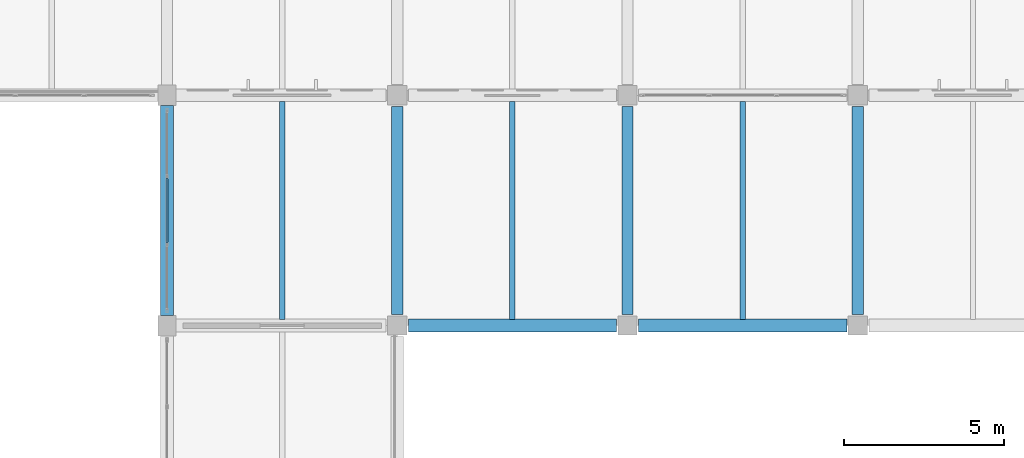
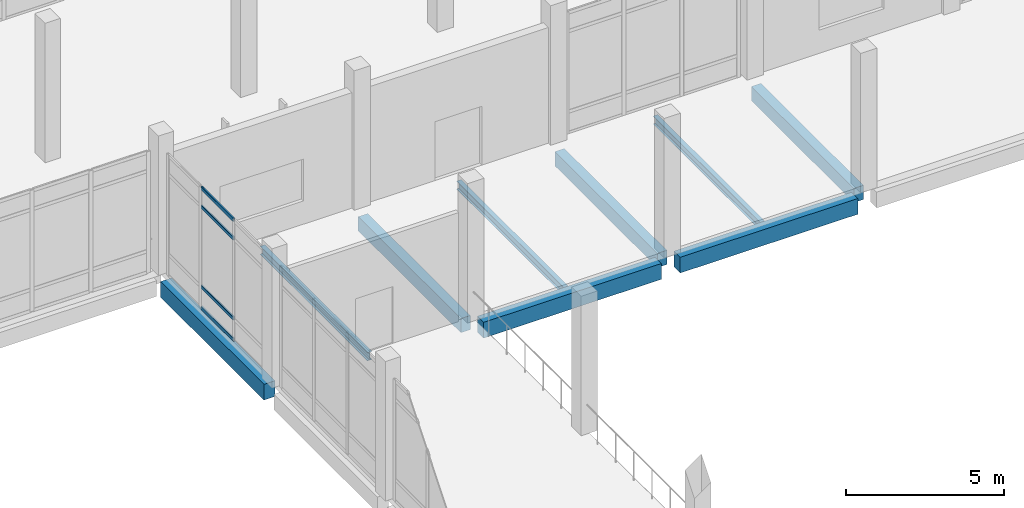
# One storey, part 116 of 180: 9 beams, 4 members, 1 element without a shape of its own.
"""IFC4 building model written with IfcOpenShell, lengths in metres."""

from ifc_helpers import new_model, si_unit, direction, frame, origin, origin_2d, place, context, subcontext, project, spatial, rectangle, hollow_rectangle, i_section, extrude, material, material_profile, profile_set, type_object, element, aggregate, save


model = new_model("IFC4")

# Units and contexts
model_context = context("Model", 3, precision=1e-05, world=origin(), true_north=direction((0.0, 1.0)))
body_context = subcontext(model_context, "Body", "Model", "MODEL_VIEW")
ifc_project = project(units=[si_unit("LENGTHUNIT", "METRE"), si_unit("AREAUNIT", "SQUARE_METRE"), si_unit("VOLUMEUNIT", "CUBIC_METRE"), si_unit("PLANEANGLEUNIT", "RADIAN"), si_unit("MASSUNIT", "GRAM", prefix="KILO")], contexts=[model_context])

# Site, building, storey
site_placement = place(None, origin())
site = spatial("IfcSite", under=ifc_project, at=site_placement, CompositionType="ELEMENT")
building_placement = place(site_placement, origin())
building = spatial("IfcBuilding", under=site, at=building_placement, Name="Lusvemor Sports Hall", CompositionType="ELEMENT")
storey_placement = place(building_placement, frame((0.0, 0.0, 5.39990234375)))
storey = spatial("IfcBuildingStorey", under=building, at=storey_placement, Name="L01", CompositionType="ELEMENT", Elevation=5.39990234375)

# Beams
ifc_material_1 = material(Name="Concrete C40/50", Category="concrete")
ifc_material_profile_1 = material_profile(ifc_material_1, rectangle(XDim=0.35009765625, YDim=0.550048828125, at=origin_2d()), Name="RC350x550")
ifc_profile_set_1 = profile_set([ifc_material_profile_1], Name="Concrete C40/50")
beam_type_1 = type_object("IfcBeamType", Name="BEAM_RC_550", PredefinedType="BEAM", material=ifc_profile_set_1)
for number, where, z_axis, x_axis, name in (
    (1, (140.39990234375, 75.946044921875, -0.534912109375), (0.0, 1.0, 0.0), (-1.0, 0.0, 0.0), "Beam L01 16:K-L"),
    (2, (147.60009765625, 75.946044921875, -0.534912109375), (0.0, 1.0, 0.0), (-1.0, 0.0, 0.0), "Beam L01 17:K-L"),
    (3, (154.800048828125, 75.946044921875, -0.534912109375), (0.0, 1.0, 0.0), (-1.0, 0.0, 0.0), "Beam L01 18:K-L"),
):
    element("IfcBeam", number, at=place(storey_placement, frame(where, z_axis=z_axis, x_axis=x_axis)), inside=storey, type_object=beam_type_1, Name=name, PredefinedType="BEAM", context=body_context, shape_type="SweptSolid", body=[
        extrude(rectangle(XDim=0.35009765625, YDim=0.550048828125, at=origin_2d()), origin(), (0.0, 0.0, 1.0), 6.508056640625),
    ])

# Curtain wall, members
ifc_material_2 = material(Name="Thermally broken bronze-anodized aluminium", Category="aluminium")
curtain_wall_type = type_object("IfcCurtainWallType", Name="CW_PASSAGE_E", PredefinedType="NOTDEFINED", material=ifc_material_2)
curtain_wall_placement = place(storey_placement, origin())
curtain_wall = element("IfcCurtainWall", 4, at=curtain_wall_placement, inside=storey, type_object=curtain_wall_type, Name="Curtain Wall CW-NLINK-133-L01", PredefinedType="NOTDEFINED")
ifc_material_3 = material(Name="Thermally broken bronze-anodized aluminium", Category="aluminium")
ifc_material_profile_2 = material_profile(ifc_material_3, hollow_rectangle(XDim=0.06005859375, YDim=0.135009765625, WallThickness=0.00390625, InnerFilletRadius=0.00390625, OuterFilletRadius=0.008056640625, at=origin_2d()), Name="CWTRN135x60x4")
ifc_profile_set_2 = profile_set([ifc_material_profile_2], Name="Thermally broken bronze-anodized aluminium")
member_type = type_object("IfcMemberType", Name="CW_TRN_B", PredefinedType="USERDEFINED", material=ifc_profile_set_2)
member_1_placement = place(storey_placement, frame((133.199951171875, 78.17919921875, 0.030029296875), z_axis=(0.0, 1.0, 0.0), x_axis=(-1.0, 0.0, 0.0)))
member_1 = element("IfcMember", 5, at=member_1_placement, type_object=member_type, Name="CW05 transom 2.1", ObjectType="TRANSOM", PredefinedType="USERDEFINED", context=body_context, shape_type="SweptSolid", body=[
    extrude(hollow_rectangle(XDim=0.06005859375, YDim=0.135009765625, WallThickness=0.00390625, InnerFilletRadius=0.00390625, OuterFilletRadius=0.008056640625, at=origin_2d()), origin(), (0.0, 0.0, 1.0), 2.041748046875),
])
member_2_placement = place(storey_placement, frame((133.199951171875, 78.17919921875, 0.85009765625), z_axis=(0.0, 1.0, 0.0), x_axis=(-1.0, 0.0, 0.0)))
member_2 = element("IfcMember", 6, at=member_2_placement, type_object=member_type, Name="CW05 transom 2.2", ObjectType="TRANSOM", PredefinedType="USERDEFINED", context=body_context, shape_type="SweptSolid", body=[
    extrude(hollow_rectangle(XDim=0.06005859375, YDim=0.135009765625, WallThickness=0.00390625, InnerFilletRadius=0.00390625, OuterFilletRadius=0.008056640625, at=origin_2d()), origin(), (0.0, 0.0, 1.0), 2.041748046875),
])
member_3_placement = place(storey_placement, frame((133.199951171875, 78.17919921875, 3.9501953125), z_axis=(0.0, 1.0, 0.0), x_axis=(-1.0, 0.0, 0.0)))
member_3 = element("IfcMember", 7, at=member_3_placement, type_object=member_type, Name="CW05 transom 2.3", ObjectType="TRANSOM", PredefinedType="USERDEFINED", context=body_context, shape_type="SweptSolid", body=[
    extrude(hollow_rectangle(XDim=0.06005859375, YDim=0.135009765625, WallThickness=0.00390625, InnerFilletRadius=0.00390625, OuterFilletRadius=0.008056640625, at=origin_2d()), origin(), (0.0, 0.0, 1.0), 2.041748046875),
])
member_4_placement = place(storey_placement, frame((133.199951171875, 78.17919921875, 4.670166015625), z_axis=(0.0, 1.0, 0.0), x_axis=(-1.0, 0.0, 0.0)))
member_4 = element("IfcMember", 8, at=member_4_placement, type_object=member_type, Name="CW05 transom 2.4", ObjectType="TRANSOM", PredefinedType="USERDEFINED", context=body_context, shape_type="SweptSolid", body=[
    extrude(hollow_rectangle(XDim=0.06005859375, YDim=0.135009765625, WallThickness=0.00390625, InnerFilletRadius=0.00390625, OuterFilletRadius=0.008056640625, at=origin_2d()), origin(), (0.0, 0.0, 1.0), 2.041748046875),
])
aggregate(curtain_wall, [member_1, member_2, member_3, member_4])

# Beams
ifc_material_4 = material(Name="Steel S355", Category="steel")
ifc_material_profile_3 = material_profile(ifc_material_4, i_section(OverallWidth=0.1669921875, OverallDepth=0.31689453125, WebThickness=0.007568359375, FlangeThickness=0.01318359375, FilletRadius=0.014892578125, at=origin_2d()), Name="W310x52.0")
ifc_profile_set_3 = profile_set([ifc_material_profile_3], Name="Steel S355")
beam_type_2 = type_object("IfcBeamType", Name="JOIST_ST_310M", PredefinedType="JOIST", material=ifc_profile_set_3)
for number, where, z_axis, x_axis, name in (
    (9, (136.800048828125, 75.7958984375, -0.42236328125), (0.0, 1.0, 0.0), (-1.0, 0.0, 0.0), "Secondary Joist L01 15-16/K-L #1"),
    (10, (144.0, 75.7958984375, -0.42236328125), (0.0, 1.0, 0.0), (-1.0, 0.0, 0.0), "Secondary Joist L01 16-17/K-L #1"),
    (11, (151.199951171875, 75.7958984375, -0.42236328125), (0.0, 1.0, 0.0), (-1.0, 0.0, 0.0), "Secondary Joist L01 17-18/K-L #1"),
):
    element("IfcBeam", number, at=place(storey_placement, frame(where, z_axis=z_axis, x_axis=x_axis)), inside=storey, type_object=beam_type_2, Name=name, PredefinedType="JOIST", context=body_context, shape_type="SweptSolid", body=[
        extrude(i_section(OverallWidth=0.1669921875, OverallDepth=0.31689453125, WebThickness=0.007568359375, FlangeThickness=0.01318359375, FilletRadius=0.014892578125, at=origin_2d()), origin(), (0.0, 0.0, 1.0), 6.80810546875),
    ])
ifc_material_5 = material(Name="Concrete C40/50", Category="concrete")
ifc_material_profile_4 = material_profile(ifc_material_5, rectangle(XDim=0.39990234375, YDim=0.610107421875, at=origin_2d()), Name="RC400x610")
ifc_profile_set_4 = profile_set([ifc_material_profile_4], Name="Concrete C40/50")
beam_type_3 = type_object("IfcBeamType", Name="SPAND_EXT_650", PredefinedType="SPANDREL", material=ifc_profile_set_4)
beam_1_placement = place(storey_placement, frame((140.74609375, 75.60009765625, -0.56494140625), z_axis=(1.0, 0.0, 0.0), x_axis=(0.0, 1.0, 0.0)))
element("IfcBeam", 12, at=beam_1_placement, inside=storey, type_object=beam_type_3, Name="Beam L01 K:16-17", PredefinedType="SPANDREL", context=body_context, shape_type="SweptSolid", body=[
    extrude(rectangle(XDim=0.39990234375, YDim=0.610107421875, at=origin_2d()), origin(), (0.0, 0.0, 1.0), 6.5078125),
])
beam_2_placement = place(storey_placement, frame((147.946044921875, 75.60009765625, -0.56494140625), z_axis=(1.0, 0.0, 0.0), x_axis=(0.0, 1.0, 0.0)))
element("IfcBeam", 13, at=beam_2_placement, inside=storey, type_object=beam_type_3, Name="Beam L01 K:17-18", PredefinedType="SPANDREL", context=body_context, shape_type="SweptSolid", body=[
    extrude(rectangle(XDim=0.39990234375, YDim=0.610107421875, at=origin_2d()), origin(), (0.0, 0.0, 1.0), 6.508056640625),
])
beam_3_placement = place(storey_placement, frame((133.199951171875, 75.916015625, -0.56494140625), z_axis=(0.0, 1.0, 0.0), x_axis=(-1.0, 0.0, 0.0)))
element("IfcBeam", 14, at=beam_3_placement, inside=storey, type_object=beam_type_3, Name="Beam L01 15:K-L", PredefinedType="SPANDREL", context=body_context, shape_type="SweptSolid", body=[
    extrude(rectangle(XDim=0.39990234375, YDim=0.610107421875, at=origin_2d()), origin(), (0.0, 0.0, 1.0), 6.56787109375),
])

save(model, "model.ifc")
